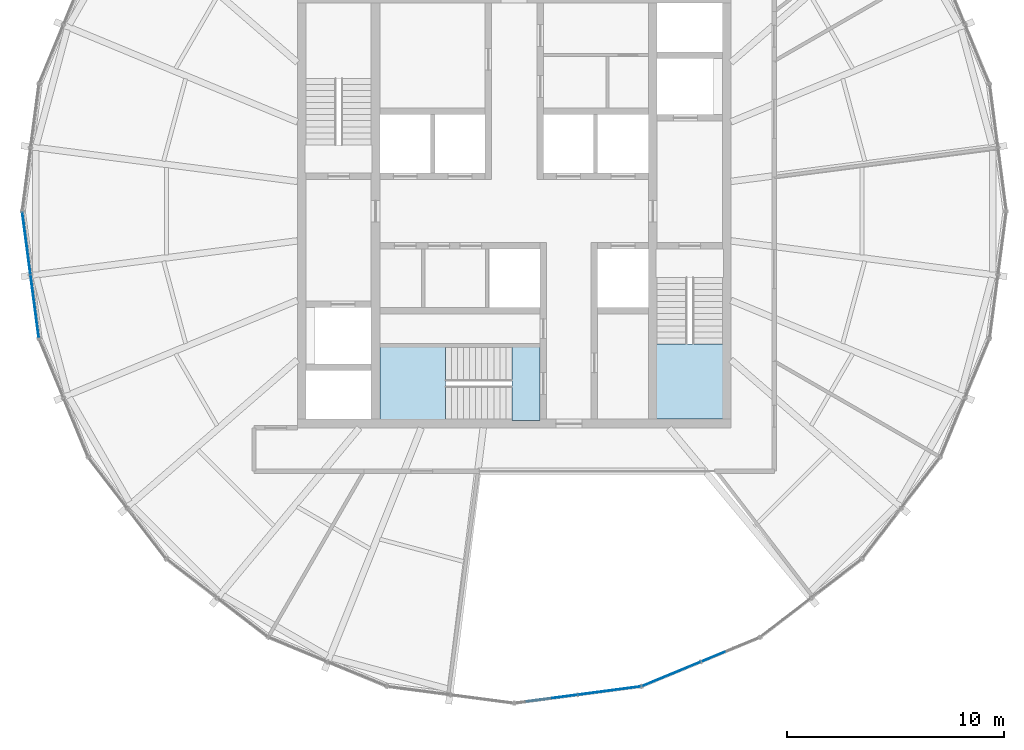
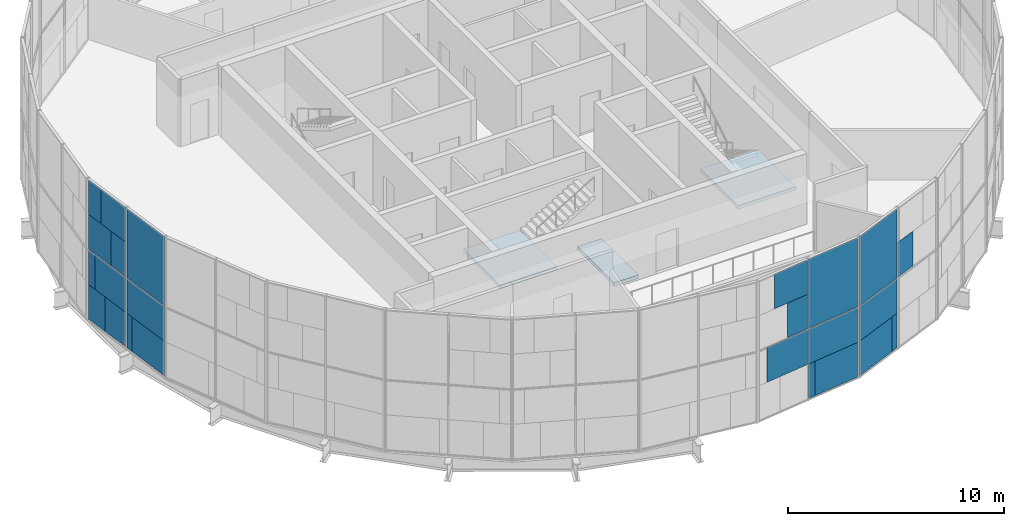
# One storey, part 9 of 19: 24 plates, 3 slabs, 5 elements without a shape of their own.
"""IFC4 building model written with IfcOpenShell, lengths in metres."""

from ifc_helpers import new_model, si_unit, direction, frame, origin, origin_2d, place, context, subcontext, project, spatial, polyline, rectangle, outline, extrude, material, layer, layer_set, type_object, element, aggregate, save


model = new_model("IFC4")

# Units and contexts
model_context = context("Model", 3, precision=1e-05, world=origin(), true_north=direction((0.0, 1.0)))
body_context = subcontext(model_context, "Body", "Model", "MODEL_VIEW")
ifc_project = project(units=[si_unit("LENGTHUNIT", "METRE"), si_unit("AREAUNIT", "SQUARE_METRE"), si_unit("VOLUMEUNIT", "CUBIC_METRE"), si_unit("PLANEANGLEUNIT", "RADIAN"), si_unit("MASSUNIT", "GRAM", prefix="KILO")], contexts=[model_context])

# Site, building, storey
site_placement = place(None, origin())
site = spatial("IfcSite", under=ifc_project, at=site_placement, CompositionType="ELEMENT")
building_placement = place(site_placement, origin())
building = spatial("IfcBuilding", under=site, at=building_placement, Name="Golbaran Civic Tower", CompositionType="ELEMENT")
storey_placement = place(building_placement, frame((0.0, 0.0, 240.0)))
storey = spatial("IfcBuildingStorey", under=building, at=storey_placement, Name="L58", CompositionType="ELEMENT", Elevation=240.0)

# Curtain wall, plates
ifc_material_1 = material(Name="Aluminium and glass", Category="aluminium")
curtain_wall_type = type_object("IfcCurtainWallType", Name="INNER SKIN CURTAIN WALL EXECUTIVE", PredefinedType="NOTDEFINED", material=ifc_material_1)
curtain_wall_1_placement = place(storey_placement, origin())
curtain_wall_1 = element("IfcCurtainWall", 1, at=curtain_wall_1_placement, inside=storey, type_object=curtain_wall_type, Name="Inner skin L58 facet 13 CW2", ObjectType="INNER SKIN", PredefinedType="USERDEFINED")
ifc_material_2 = material(Name="Clear insulating glass", Category="glass")
ifc_layer_1 = layer(ifc_material_2, 0.031982421875, Name="Clear insulating glass")
ifc_layer_set_1 = layer_set([ifc_layer_1], Name="Clear insulating glass")
plate_type_1 = type_object("IfcPlateType", Name="INNER SKIN CURTAIN WALL EXECUTIVE GLAZED PANEL", PredefinedType="CURTAIN_PANEL", material=ifc_layer_set_1)
plate_1_placement = place(storey_placement, frame((-22.609375, -0.68896484375, 0.06005859375), z_axis=(0.0, 0.0, 1.0), x_axis=(0.130526192168, -0.991444861381, 0.0)))
plate_1 = element("IfcPlate", 2, at=plate_1_placement, type_object=plate_type_1, Name="CW2 panel 1.1 part 1", PredefinedType="CURTAIN_PANEL", context=body_context, shape_type="SweptSolid", body=[
    extrude(rectangle(XDim=1.27001953125, YDim=0.031982421875, at=origin_2d()), origin(), (0.0, 0.0, 1.0), 1.955078125),
])
plate_2_placement = place(storey_placement, frame((-22.658447265625, -0.315185546875, 2.014892578125), z_axis=(0.0, 0.0, 1.0), x_axis=(0.130526192168, -0.991444861381, 0.0)))
plate_2 = element("IfcPlate", 3, at=plate_2_placement, type_object=plate_type_1, Name="CW2 panel 1.1 part 3", PredefinedType="CURTAIN_PANEL", context=body_context, shape_type="SweptSolid", body=[
    extrude(rectangle(XDim=0.51611328125, YDim=0.031982421875, at=origin_2d()), origin(), (0.0, 0.0, 1.0), 1.955078125),
])
plate_3_placement = place(storey_placement, frame((-22.392822265625, -2.332763671875, 4.030029296875), z_axis=(0.0, 0.0, 1.0), x_axis=(0.130526192168, -0.991444861381, 0.0)))
plate_3 = element("IfcPlate", 4, at=plate_3_placement, type_object=plate_type_1, Name="CW2 panel 1.2 part 2", PredefinedType="CURTAIN_PANEL", context=body_context, shape_type="SweptSolid", body=[
    extrude(rectangle(XDim=1.159912109375, YDim=0.031982421875, at=origin_2d()), origin(), (0.0, 0.0, 1.0), 1.955078125),
])
plate_4_placement = place(storey_placement, frame((-22.442138671875, -1.958984375, 5.98486328125), z_axis=(0.0, 0.0, 1.0), x_axis=(0.130526192168, -0.991444861381, 0.0)))
plate_4 = element("IfcPlate", 5, at=plate_4_placement, type_object=plate_type_1, Name="CW2 panel 1.2 part 4", PredefinedType="CURTAIN_PANEL", context=body_context, shape_type="SweptSolid", body=[
    extrude(rectangle(XDim=1.9140625, YDim=0.031982421875, at=origin_2d()), origin(), (0.0, 0.0, 1.0), 1.955078125),
])
plate_5_placement = place(storey_placement, frame((-22.095703125, -4.59033203125, 0.06005859375), z_axis=(0.0, 0.0, 1.0), x_axis=(0.130526192168, -0.991444861381, 0.0)))
plate_5 = element("IfcPlate", 6, at=plate_5_placement, type_object=plate_type_1, Name="CW2 panel 2.1 part 2", PredefinedType="CURTAIN_PANEL", context=body_context, shape_type="SweptSolid", body=[
    extrude(rectangle(XDim=2.471923828125, YDim=0.031982421875, at=origin_2d()), origin(), (0.0, 0.0, 1.0), 1.955078125),
])
plate_6_placement = place(storey_placement, frame((-22.121826171875, -4.3916015625, 2.014892578125), z_axis=(0.0, 0.0, 1.0), x_axis=(0.130526192168, -0.991444861381, 0.0)))
plate_6 = element("IfcPlate", 7, at=plate_6_placement, type_object=plate_type_1, Name="CW2 panel 2.1 part 3", PredefinedType="CURTAIN_PANEL", context=body_context, shape_type="SweptSolid", body=[
    extrude(rectangle(XDim=2.873046875, YDim=0.031982421875, at=origin_2d()), origin(), (0.0, 0.0, 1.0), 1.955078125),
])
plate_7_placement = place(storey_placement, frame((-22.121826171875, -4.3916015625, 4.0302734375), z_axis=(0.0, 0.0, 1.0), x_axis=(0.130526192168, -0.991444861381, 0.0)))
plate_7 = element("IfcPlate", 8, at=plate_7_placement, type_object=plate_type_1, Name="CW2 panel 2.2", PredefinedType="CURTAIN_PANEL", context=body_context, shape_type="SweptSolid", body=[
    extrude(rectangle(XDim=2.873046875, YDim=0.031982421875, at=origin_2d()), origin(), (0.0, 0.0, 1.0), 3.909912109375),
])

curtain_wall_2_placement = place(storey_placement, origin())
curtain_wall_2 = element("IfcCurtainWall", 9, at=curtain_wall_2_placement, inside=storey, type_object=curtain_wall_type, Name="Inner skin L58 facet 19 CW2", ObjectType="INNER SKIN", PredefinedType="USERDEFINED")
plate_8_placement = place(storey_placement, frame((2.332763671875, -22.392822265625, 4.030029296875), z_axis=(0.0, 0.0, 1.0), x_axis=(0.991444861381, 0.130526192168, 0.0)))
plate_8 = element("IfcPlate", 10, at=plate_8_placement, type_object=plate_type_1, Name="CW2 panel 1.2 part 2", PredefinedType="CURTAIN_PANEL", context=body_context, shape_type="SweptSolid", body=[
    extrude(rectangle(XDim=1.159912109375, YDim=0.031982421875, at=origin_2d()), origin(), (0.0, 0.0, 1.0), 1.955078125),
])
plate_9_placement = place(storey_placement, frame((1.958984375, -22.442138671875, 5.98486328125), z_axis=(0.0, 0.0, 1.0), x_axis=(0.991444861381, 0.130526192168, 0.0)))
plate_9 = element("IfcPlate", 11, at=plate_9_placement, type_object=plate_type_1, Name="CW2 panel 1.2 part 4", PredefinedType="CURTAIN_PANEL", context=body_context, shape_type="SweptSolid", body=[
    extrude(rectangle(XDim=1.9140625, YDim=0.031982421875, at=origin_2d()), origin(), (0.0, 0.0, 1.0), 1.955078125),
])
plate_10_placement = place(storey_placement, frame((4.59033203125, -22.095703125, 0.06005859375), z_axis=(0.0, 0.0, 1.0), x_axis=(0.991444861381, 0.130526192168, 0.0)))
plate_10 = element("IfcPlate", 12, at=plate_10_placement, type_object=plate_type_1, Name="CW2 panel 2.1 part 2", PredefinedType="CURTAIN_PANEL", context=body_context, shape_type="SweptSolid", body=[
    extrude(rectangle(XDim=2.471923828125, YDim=0.031982421875, at=origin_2d()), origin(), (0.0, 0.0, 1.0), 1.955078125),
])
plate_11_placement = place(storey_placement, frame((4.3916015625, -22.121826171875, 2.014892578125), z_axis=(0.0, 0.0, 1.0), x_axis=(0.991444861381, 0.130526192168, 0.0)))
plate_11 = element("IfcPlate", 13, at=plate_11_placement, type_object=plate_type_1, Name="CW2 panel 2.1 part 3", PredefinedType="CURTAIN_PANEL", context=body_context, shape_type="SweptSolid", body=[
    extrude(rectangle(XDim=2.873046875, YDim=0.031982421875, at=origin_2d()), origin(), (0.0, 0.0, 1.0), 1.955078125),
])
plate_12_placement = place(storey_placement, frame((4.3916015625, -22.121826171875, 4.0302734375), z_axis=(0.0, 0.0, 1.0), x_axis=(0.991444861381, 0.130526192168, 0.0)))
plate_12 = element("IfcPlate", 14, at=plate_12_placement, type_object=plate_type_1, Name="CW2 panel 2.2", PredefinedType="CURTAIN_PANEL", context=body_context, shape_type="SweptSolid", body=[
    extrude(rectangle(XDim=2.873046875, YDim=0.031982421875, at=origin_2d()), origin(), (0.0, 0.0, 1.0), 3.909912109375),
])

curtain_wall_3_placement = place(storey_placement, origin())
curtain_wall_3 = element("IfcCurtainWall", 15, at=curtain_wall_3_placement, inside=storey, type_object=curtain_wall_type, Name="Inner skin L58 facet 20 CW2", ObjectType="INNER SKIN", PredefinedType="USERDEFINED")
plate_13_placement = place(storey_placement, frame((7.072021484375, -21.4306640625, 0.06005859375), z_axis=(0.0, 0.0, 1.0), x_axis=(0.923879532498, 0.382683432397, 0.0)))
plate_13 = element("IfcPlate", 16, at=plate_13_placement, type_object=plate_type_1, Name="CW2 panel 1.1 part 1", PredefinedType="CURTAIN_PANEL", context=body_context, shape_type="SweptSolid", body=[
    extrude(rectangle(XDim=2.470947265625, YDim=0.031982421875, at=origin_2d()), origin(), (0.0, 0.0, 1.0), 1.955078125),
])
plate_14_placement = place(storey_placement, frame((7.2578125, -21.353759765625, 2.014892578125), z_axis=(0.0, 0.0, 1.0), x_axis=(0.923879532498, 0.382683432397, 0.0)))
plate_14 = element("IfcPlate", 17, at=plate_14_placement, type_object=plate_type_1, Name="CW2 panel 1.1 part 3", PredefinedType="CURTAIN_PANEL", context=body_context, shape_type="SweptSolid", body=[
    extrude(rectangle(XDim=2.873046875, YDim=0.031982421875, at=origin_2d()), origin(), (0.0, 0.0, 1.0), 1.955078125),
])
plate_15_placement = place(storey_placement, frame((7.2578125, -21.353759765625, 4.0302734375), z_axis=(0.0, 0.0, 1.0), x_axis=(0.923879532498, 0.382683432397, 0.0)))
plate_15 = element("IfcPlate", 18, at=plate_15_placement, type_object=plate_type_1, Name="CW2 panel 1.2", PredefinedType="CURTAIN_PANEL", context=body_context, shape_type="SweptSolid", body=[
    extrude(rectangle(XDim=2.873046875, YDim=0.031982421875, at=origin_2d()), origin(), (0.0, 0.0, 1.0), 3.909912109375),
])
plate_16_placement = place(storey_placement, frame((9.17626953125, -20.559326171875, 4.030029296875), z_axis=(0.0, 0.0, 1.0), x_axis=(0.923879532498, 0.382683432397, 0.0)))
plate_16 = element("IfcPlate", 19, at=plate_16_placement, type_object=plate_type_1, Name="CW2 panel 2.2 part 1", PredefinedType="CURTAIN_PANEL", context=body_context, shape_type="SweptSolid", body=[
    extrude(rectangle(XDim=1.159912109375, YDim=0.031982421875, at=origin_2d()), origin(), (0.0, 0.0, 1.0), 1.955078125),
])

# Plate
ifc_material_3 = material(Name="Aluminium faced opaque infill panel", Category="aluminium")
ifc_layer_2 = layer(ifc_material_3, 0.031982421875, Name="Aluminium faced opaque infill panel")
ifc_layer_set_2 = layer_set([ifc_layer_2], Name="Aluminium faced opaque infill panel")
plate_type_2 = type_object("IfcPlateType", Name="INNER SKIN CURTAIN WALL EXECUTIVE OPAQUE INFILL PANEL", PredefinedType="CURTAIN_PANEL", material=ifc_layer_set_2)
plate_17_placement = place(storey_placement, frame((-22.421875, -2.11328125, 0.06005859375), z_axis=(0.0, 0.0, 1.0), x_axis=(0.130526192168, -0.991444861381, 0.0)))
plate_17 = element("IfcPlate", 20, at=plate_17_placement, type_object=plate_type_2, Name="CW2 infill panel 1.1 part 2", PredefinedType="CURTAIN_PANEL", context=body_context, shape_type="SweptSolid", body=[
    extrude(rectangle(XDim=1.60302734375, YDim=0.031982421875, at=origin_2d()), origin(), (0.0, 0.0, 1.0), 1.955078125),
])

plate_18_placement = place(storey_placement, frame((-22.470947265625, -1.739501953125, 2.014892578125), z_axis=(0.0, 0.0, 1.0), x_axis=(0.130526192168, -0.991444861381, 0.0)))
plate_18 = element("IfcPlate", 21, at=plate_18_placement, type_object=plate_type_2, Name="CW2 infill panel 1.1 part 4", PredefinedType="CURTAIN_PANEL", context=body_context, shape_type="SweptSolid", body=[
    extrude(rectangle(XDim=2.35693359375, YDim=0.031982421875, at=origin_2d()), origin(), (0.0, 0.0, 1.0), 1.955078125),
])

plate_19_placement = place(storey_placement, frame((-22.580322265625, -0.90869140625, 4.030029296875), z_axis=(0.0, 0.0, 1.0), x_axis=(0.130526192168, -0.991444861381, 0.0)))
plate_19 = element("IfcPlate", 22, at=plate_19_placement, type_object=plate_type_2, Name="CW2 infill panel 1.2 part 1", PredefinedType="CURTAIN_PANEL", context=body_context, shape_type="SweptSolid", body=[
    extrude(rectangle(XDim=1.712890625, YDim=0.031982421875, at=origin_2d()), origin(), (0.0, 0.0, 1.0), 1.955078125),
])

plate_20_placement = place(storey_placement, frame((-22.629638671875, -0.534912109375, 5.98486328125), z_axis=(0.0, 0.0, 1.0), x_axis=(0.130526192168, -0.991444861381, 0.0)))
plate_20 = element("IfcPlate", 23, at=plate_20_placement, type_object=plate_type_2, Name="CW2 infill panel 1.2 part 3", PredefinedType="CURTAIN_PANEL", context=body_context, shape_type="SweptSolid", body=[
    extrude(rectangle(XDim=0.958984375, YDim=0.031982421875, at=origin_2d()), origin(), (0.0, 0.0, 1.0), 1.955078125),
])

plate_21_placement = place(storey_placement, frame((-22.283203125, -3.166015625, 0.06005859375), z_axis=(0.0, 0.0, 1.0), x_axis=(0.130526192168, -0.991444861381, 0.0)))
plate_21 = element("IfcPlate", 24, at=plate_21_placement, type_object=plate_type_2, Name="CW2 infill panel 2.1 part 1", PredefinedType="CURTAIN_PANEL", context=body_context, shape_type="SweptSolid", body=[
    extrude(rectangle(XDim=0.40087890625, YDim=0.031982421875, at=origin_2d()), origin(), (0.0, 0.0, 1.0), 1.955078125),
])

aggregate(curtain_wall_1, [plate_1, plate_17, plate_2, plate_18, plate_19, plate_3, plate_20, plate_4, plate_21, plate_5, plate_6, plate_7])

plate_22_placement = place(storey_placement, frame((1.739501953125, -22.470947265625, 2.014892578125), z_axis=(0.0, 0.0, 1.0), x_axis=(0.991444861381, 0.130526192168, 0.0)))
plate_22 = element("IfcPlate", 25, at=plate_22_placement, type_object=plate_type_2, Name="CW2 infill panel 1.1 part 4", PredefinedType="CURTAIN_PANEL", context=body_context, shape_type="SweptSolid", body=[
    extrude(rectangle(XDim=2.35693359375, YDim=0.031982421875, at=origin_2d()), origin(), (0.0, 0.0, 1.0), 1.955078125),
])

plate_23_placement = place(storey_placement, frame((3.166015625, -22.283203125, 0.06005859375), z_axis=(0.0, 0.0, 1.0), x_axis=(0.991444861381, 0.130526192168, 0.0)))
plate_23 = element("IfcPlate", 26, at=plate_23_placement, type_object=plate_type_2, Name="CW2 infill panel 2.1 part 1", PredefinedType="CURTAIN_PANEL", context=body_context, shape_type="SweptSolid", body=[
    extrude(rectangle(XDim=0.40087890625, YDim=0.031982421875, at=origin_2d()), origin(), (0.0, 0.0, 1.0), 1.955078125),
])

aggregate(curtain_wall_2, [plate_22, plate_8, plate_9, plate_23, plate_10, plate_11, plate_12])

plate_24_placement = place(storey_placement, frame((8.399169921875, -20.881103515625, 0.06005859375), z_axis=(0.0, 0.0, 1.0), x_axis=(0.923879532498, 0.382683432397, 0.0)))
plate_24 = element("IfcPlate", 27, at=plate_24_placement, type_object=plate_type_2, Name="CW2 infill panel 1.1 part 2", PredefinedType="CURTAIN_PANEL", context=body_context, shape_type="SweptSolid", body=[
    extrude(rectangle(XDim=0.40185546875, YDim=0.031982421875, at=origin_2d()), origin(), (0.0, 0.0, 1.0), 1.955078125),
])

aggregate(curtain_wall_3, [plate_13, plate_24, plate_14, plate_15, plate_16])

# Stair, slab
ifc_material_4 = material(Name="Concrete C35/45", Category="concrete")
stair_type_1 = type_object("IfcStairType", Name="EXIT STAIR 3000 x 7850, 4000 RISE", PredefinedType="HALF_TURN_STAIR", material=ifc_material_4)
stair_1_placement = place(storey_placement, origin())
stair_1 = element("IfcStair", 28, at=stair_1_placement, inside=storey, type_object=stair_type_1, Name="Stair S2 L58", PredefinedType="HALF_TURN_STAIR")
ifc_layer_3 = layer(ifc_material_4, 0.199951171875, Name="Concrete C35/45")
ifc_layer_set_3 = layer_set([ifc_layer_3], Name="Concrete C35/45")
slab_type = type_object("IfcSlabType", Name="STAIR LANDING 200", PredefinedType="LANDING", material=ifc_layer_set_3)
slab_1_placement = place(storey_placement, frame((0.0, 0.0, 1.800048828125)))
slab_1 = element("IfcSlab", 29, at=slab_1_placement, type_object=slab_type, Name="ST30078-40 landing 1", PredefinedType="LANDING", context=body_context, shape_type="SweptSolid", body=[
    extrude(outline(polyline([(9.64990234375, -6.125), (9.64990234375, -9.60009765625), (6.550048828125, -9.60009765625), (6.550048828125, -6.125), (9.64990234375, -6.125)])), origin(), (0.0, 0.0, 1.0), 0.199951171875),
])
aggregate(stair_1, [slab_1])

stair_type_2 = type_object("IfcStairType", Name="EXIT STAIR 3300 x 7400, 4000 RISE", PredefinedType="HALF_TURN_STAIR", material=ifc_material_4)
stair_2_placement = place(storey_placement, origin())
stair_2 = element("IfcStair", 30, at=stair_2_placement, inside=storey, type_object=stair_type_2, Name="Stair S3 L58", PredefinedType="HALF_TURN_STAIR")
slab_2_placement = place(storey_placement, frame((0.0, 0.0, 1.800048828125)))
slab_2 = element("IfcSlab", 31, at=slab_2_placement, type_object=slab_type, Name="ST33074-40 landing 1", PredefinedType="LANDING", context=body_context, shape_type="SweptSolid", body=[
    extrude(outline(polyline([(-3.175048828125, -9.64990234375), (-6.199951171875, -9.64990234375), (-6.199951171875, -6.25), (-3.175048828125, -6.25), (-3.175048828125, -9.64990234375)])), origin(), (0.0, 0.0, 1.0), 0.199951171875),
])
aggregate(stair_2, [slab_2])

# Slab
slab_3_placement = place(storey_placement, frame((0.0, 0.0, -0.199951171875)))
element("IfcSlab", 32, at=slab_3_placement, inside=storey, type_object=slab_type, Name="Stair S3 floor landing L58", PredefinedType="LANDING", context=body_context, shape_type="SweptSolid", body=[
    extrude(outline(polyline([(1.199951171875, -9.64990234375), (-0.10498046875, -9.64990234375), (-0.10498046875, -6.25), (1.199951171875, -6.25), (1.199951171875, -9.64990234375)])), origin(), (0.0, 0.0, 1.0), 0.199951171875),
])

save(model, "model.ifc")
